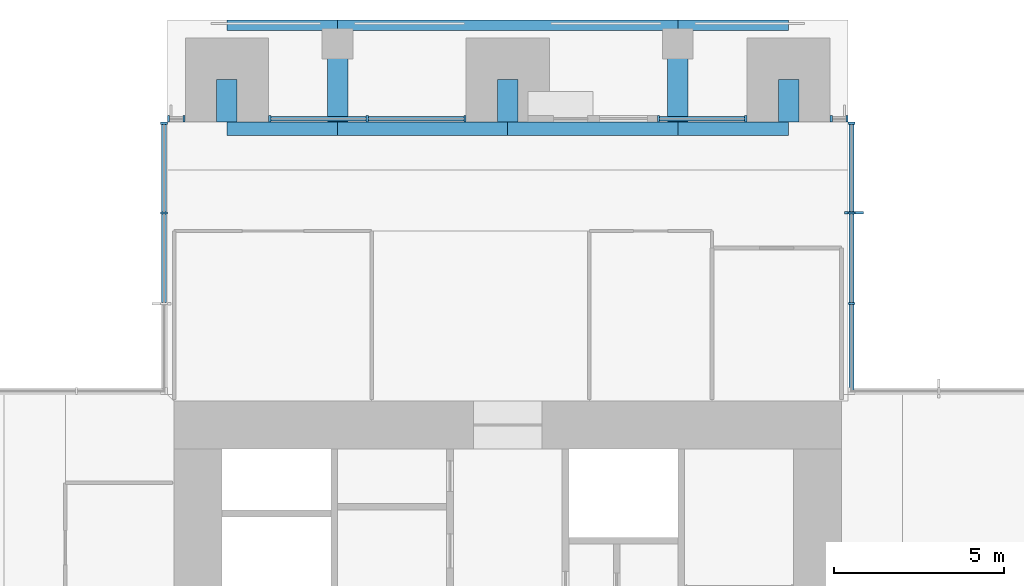
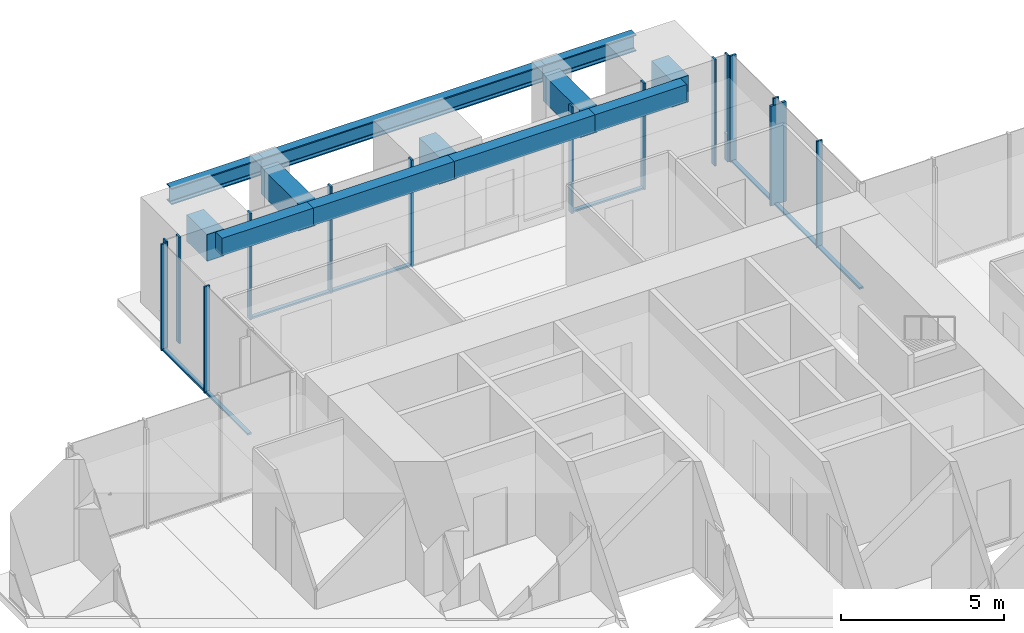
# One storey, part 5 of 17: 23 members, 12 beams, 6 elements without a shape of their own.
"""IFC4 building model written with IfcOpenShell, lengths in metres."""

from ifc_helpers import new_model, si_unit, direction, frame, origin, origin_2d, place, context, subcontext, project, spatial, rectangle, i_section, extrude, material, material_profile, profile_set, type_object, element, aggregate, save


model = new_model("IFC4")

# Units and contexts
model_context = context("Model", 3, precision=1e-05, world=origin(), true_north=direction((0.0, 1.0)))
body_context = subcontext(model_context, "Body", "Model", "MODEL_VIEW")
ifc_project = project(units=[si_unit("LENGTHUNIT", "METRE"), si_unit("AREAUNIT", "SQUARE_METRE"), si_unit("VOLUMEUNIT", "CUBIC_METRE"), si_unit("PLANEANGLEUNIT", "RADIAN"), si_unit("MASSUNIT", "GRAM", prefix="KILO")], contexts=[model_context])

# Site, building, storey
site_placement = place(None, origin())
site = spatial("IfcSite", under=ifc_project, at=site_placement, CompositionType="ELEMENT")
building_placement = place(site_placement, origin())
building = spatial("IfcBuilding", under=site, at=building_placement, Name="Svetlomir Tower", CompositionType="ELEMENT")
storey_placement = place(building_placement, frame((0.0, 0.0, 210.5)))
storey = spatial("IfcBuildingStorey", under=building, at=storey_placement, Name="L50", CompositionType="ELEMENT", Elevation=210.5)

# Curtain wall, members
ifc_material_1 = material(Name="Bronze anodised aluminium curtain wall", Category="aluminium")
curtain_wall_type = type_object("IfcCurtainWallType", Name="CURTAIN WALL CW1 TOWER OFFICE", PredefinedType="NOTDEFINED", material=ifc_material_1)
curtain_wall_1_placement = place(storey_placement, origin())
curtain_wall_1 = element("IfcCurtainWall", 1, at=curtain_wall_1_placement, inside=storey, type_object=curtain_wall_type, Name="Curtain wall CW1 L50", PredefinedType="NOTDEFINED")
ifc_material_2 = material(Name="Bronze anodised aluminium", Category="aluminium")
ifc_material_profile_1 = material_profile(ifc_material_2, rectangle(XDim=0.080078125, YDim=0.550048828125, at=origin_2d()), Name="FIN 80x550")
ifc_profile_set_1 = profile_set([ifc_material_profile_1], Name="Bronze anodised aluminium 6063-T6")
member_type_1 = type_object("IfcMemberType", Name="BRONZE FIN 80x550", PredefinedType="USERDEFINED", material=ifc_profile_set_1)
member_1_placement = place(storey_placement, frame((31.175048828125, 36.333251953125, 0.0), z_axis=(0.0, 0.0, 1.0), x_axis=(0.0, 1.0, 0.0)))
member_1 = element("IfcMember", 2, at=member_1_placement, type_object=member_type_1, Name="Bronze fin L50", ObjectType="FIN", PredefinedType="USERDEFINED", context=body_context, shape_type="SweptSolid", body=[
    extrude(rectangle(XDim=0.080078125, YDim=0.550048828125, at=origin_2d()), origin(), (0.0, 0.0, 1.0), 3.75),
])
ifc_material_3 = material(Name="Bronze anodised aluminium", Category="aluminium")
ifc_material_profile_2 = material_profile(ifc_material_3, rectangle(XDim=0.06494140625, YDim=0.199951171875, at=origin_2d()), Name="AL 65x200")
ifc_profile_set_2 = profile_set([ifc_material_profile_2], Name="Bronze anodised aluminium 6063-T6")
member_type_2 = type_object("IfcMemberType", Name="CW1 MULLION 65x200", PredefinedType="MULLION", material=ifc_profile_set_2)
member_2_placement = place(storey_placement, frame((31.10009765625, 33.666748046875, 0.0), z_axis=(0.0, 0.0, 1.0), x_axis=(0.0, 1.0, 0.0)))
member_2 = element("IfcMember", 3, at=member_2_placement, type_object=member_type_2, Name="CW1 mullion 2", PredefinedType="MULLION", context=body_context, shape_type="SweptSolid", body=[
    extrude(rectangle(XDim=0.06494140625, YDim=0.199951171875, at=origin_2d()), origin(), (0.0, 0.0, 1.0), 4.0),
])
member_3_placement = place(storey_placement, frame((31.10009765625, 36.333251953125, 0.0), z_axis=(0.0, 0.0, 1.0), x_axis=(0.0, 1.0, 0.0)))
member_3 = element("IfcMember", 4, at=member_3_placement, type_object=member_type_2, Name="CW1 mullion 3", PredefinedType="MULLION", context=body_context, shape_type="SweptSolid", body=[
    extrude(rectangle(XDim=0.06494140625, YDim=0.199951171875, at=origin_2d()), origin(), (0.0, 0.0, 1.0), 4.0),
])
member_4_placement = place(storey_placement, frame((31.10009765625, 38.967529296875, 0.0), z_axis=(0.0, 0.0, 1.0), x_axis=(0.0, 1.0, 0.0)))
member_4 = element("IfcMember", 5, at=member_4_placement, type_object=member_type_2, Name="CW1 mullion 4", PredefinedType="MULLION", context=body_context, shape_type="SweptSolid", body=[
    extrude(rectangle(XDim=0.06494140625, YDim=0.199951171875, at=origin_2d()), origin(), (0.0, 0.0, 1.0), 4.0),
])

curtain_wall_2_placement = place(storey_placement, origin())
curtain_wall_2 = element("IfcCurtainWall", 6, at=curtain_wall_2_placement, inside=storey, type_object=curtain_wall_type, Name="Curtain wall CW1 L50", PredefinedType="NOTDEFINED")
member_5_placement = place(storey_placement, frame((30.967529296875, 39.10009765625, 0.0), z_axis=(0.0, 0.0, 1.0), x_axis=(-1.0, 0.0, 0.0)))
member_5 = element("IfcMember", 7, at=member_5_placement, type_object=member_type_2, Name="CW1 mullion 1", PredefinedType="MULLION", context=body_context, shape_type="SweptSolid", body=[
    extrude(rectangle(XDim=0.06494140625, YDim=0.199951171875, at=origin_2d()), origin(), (0.0, 0.0, 1.0), 4.0),
])
member_6_placement = place(storey_placement, frame((30.507568359375, 39.10009765625, 0.0), z_axis=(0.0, 0.0, 1.0), x_axis=(-1.0, 0.0, 0.0)))
member_6 = element("IfcMember", 8, at=member_6_placement, type_object=member_type_2, Name="CW1 mullion 2", PredefinedType="MULLION", context=body_context, shape_type="SweptSolid", body=[
    extrude(rectangle(XDim=0.06494140625, YDim=0.199951171875, at=origin_2d()), origin(), (0.0, 0.0, 1.0), 4.0),
])
aggregate(curtain_wall_2, [member_5, member_6])

curtain_wall_3_placement = place(storey_placement, origin())
curtain_wall_3 = element("IfcCurtainWall", 9, at=curtain_wall_3_placement, inside=storey, type_object=curtain_wall_type, Name="Curtain wall CW1 L50", PredefinedType="NOTDEFINED")
member_7_placement = place(storey_placement, frame((27.992431640625, 39.10009765625, 0.0), z_axis=(0.0, 0.0, 1.0), x_axis=(-1.0, 0.0, 0.0)))
member_7 = element("IfcMember", 10, at=member_7_placement, type_object=member_type_2, Name="CW1 mullion 1", PredefinedType="MULLION", context=body_context, shape_type="SweptSolid", body=[
    extrude(rectangle(XDim=0.06494140625, YDim=0.199951171875, at=origin_2d()), origin(), (0.0, 0.0, 1.0), 4.0),
])
member_8_placement = place(storey_placement, frame((25.4326171875, 39.10009765625, 0.0), z_axis=(0.0, 0.0, 1.0), x_axis=(-1.0, 0.0, 0.0)))
member_8 = element("IfcMember", 11, at=member_8_placement, type_object=member_type_2, Name="CW1 mullion 2", PredefinedType="MULLION", context=body_context, shape_type="SweptSolid", body=[
    extrude(rectangle(XDim=0.06494140625, YDim=0.199951171875, at=origin_2d()), origin(), (0.0, 0.0, 1.0), 4.0),
])

curtain_wall_4_placement = place(storey_placement, origin())
curtain_wall_4 = element("IfcCurtainWall", 12, at=curtain_wall_4_placement, inside=storey, type_object=curtain_wall_type, Name="Curtain wall CW1 L50", PredefinedType="NOTDEFINED")
member_9_placement = place(storey_placement, frame((19.742431640625, 39.10009765625, 0.0), z_axis=(0.0, 0.0, 1.0), x_axis=(-1.0, 0.0, 0.0)))
member_9 = element("IfcMember", 13, at=member_9_placement, type_object=member_type_2, Name="CW1 mullion 1", PredefinedType="MULLION", context=body_context, shape_type="SweptSolid", body=[
    extrude(rectangle(XDim=0.06494140625, YDim=0.199951171875, at=origin_2d()), origin(), (0.0, 0.0, 1.0), 4.0),
])
member_10_placement = place(storey_placement, frame((16.875, 39.10009765625, 0.0), z_axis=(0.0, 0.0, 1.0), x_axis=(-1.0, 0.0, 0.0)))
member_10 = element("IfcMember", 14, at=member_10_placement, type_object=member_type_2, Name="CW1 mullion 2", PredefinedType="MULLION", context=body_context, shape_type="SweptSolid", body=[
    extrude(rectangle(XDim=0.06494140625, YDim=0.199951171875, at=origin_2d()), origin(), (0.0, 0.0, 1.0), 4.0),
])
member_11_placement = place(storey_placement, frame((14.007568359375, 39.10009765625, 0.0), z_axis=(0.0, 0.0, 1.0), x_axis=(-1.0, 0.0, 0.0)))
member_11 = element("IfcMember", 15, at=member_11_placement, type_object=member_type_2, Name="CW1 mullion 3", PredefinedType="MULLION", context=body_context, shape_type="SweptSolid", body=[
    extrude(rectangle(XDim=0.06494140625, YDim=0.199951171875, at=origin_2d()), origin(), (0.0, 0.0, 1.0), 4.0),
])

curtain_wall_5_placement = place(storey_placement, origin())
curtain_wall_5 = element("IfcCurtainWall", 16, at=curtain_wall_5_placement, inside=storey, type_object=curtain_wall_type, Name="Curtain wall CW1 L50", PredefinedType="NOTDEFINED")
member_12_placement = place(storey_placement, frame((11.492431640625, 39.10009765625, 0.0), z_axis=(0.0, 0.0, 1.0), x_axis=(-1.0, 0.0, 0.0)))
member_12 = element("IfcMember", 17, at=member_12_placement, type_object=member_type_2, Name="CW1 mullion 1", PredefinedType="MULLION", context=body_context, shape_type="SweptSolid", body=[
    extrude(rectangle(XDim=0.06494140625, YDim=0.199951171875, at=origin_2d()), origin(), (0.0, 0.0, 1.0), 4.0),
])
member_13_placement = place(storey_placement, frame((11.032470703125, 39.10009765625, 0.0), z_axis=(0.0, 0.0, 1.0), x_axis=(-1.0, 0.0, 0.0)))
member_13 = element("IfcMember", 18, at=member_13_placement, type_object=member_type_2, Name="CW1 mullion 2", PredefinedType="MULLION", context=body_context, shape_type="SweptSolid", body=[
    extrude(rectangle(XDim=0.06494140625, YDim=0.199951171875, at=origin_2d()), origin(), (0.0, 0.0, 1.0), 4.0),
])
aggregate(curtain_wall_5, [member_12, member_13])

curtain_wall_6_placement = place(storey_placement, origin())
curtain_wall_6 = element("IfcCurtainWall", 19, at=curtain_wall_6_placement, inside=storey, type_object=curtain_wall_type, Name="Curtain wall CW1 L50", PredefinedType="NOTDEFINED")
member_14_placement = place(storey_placement, frame((10.89990234375, 38.967529296875, 0.0), z_axis=(0.0, 0.0, 1.0), x_axis=(0.0, -1.0, 0.0)))
member_14 = element("IfcMember", 20, at=member_14_placement, type_object=member_type_2, Name="CW1 mullion 1", PredefinedType="MULLION", context=body_context, shape_type="SweptSolid", body=[
    extrude(rectangle(XDim=0.06494140625, YDim=0.199951171875, at=origin_2d()), origin(), (0.0, 0.0, 1.0), 4.0),
])
member_15_placement = place(storey_placement, frame((10.89990234375, 36.333251953125, 0.0), z_axis=(0.0, 0.0, 1.0), x_axis=(0.0, -1.0, 0.0)))
member_15 = element("IfcMember", 21, at=member_15_placement, type_object=member_type_2, Name="CW1 mullion 2", PredefinedType="MULLION", context=body_context, shape_type="SweptSolid", body=[
    extrude(rectangle(XDim=0.06494140625, YDim=0.199951171875, at=origin_2d()), origin(), (0.0, 0.0, 1.0), 4.0),
])

# Member
ifc_material_4 = material(Name="Bronze anodised aluminium", Category="aluminium")
ifc_material_profile_3 = material_profile(ifc_material_4, rectangle(XDim=0.139892578125, YDim=0.06494140625, at=origin_2d()), Name="AL 140x65")
ifc_profile_set_3 = profile_set([ifc_material_profile_3], Name="Bronze anodised aluminium 6063-T6")
member_type_3 = type_object("IfcMemberType", Name="CW1 TRANSOM 65x140", PredefinedType="USERDEFINED", material=ifc_profile_set_3)
member_16_placement = place(storey_placement, frame((31.10009765625, 31.06494140625, 0.032470703125), z_axis=(0.0, 1.0, 0.0), x_axis=(-1.0, 0.0, 0.0)))
member_16 = element("IfcMember", 22, at=member_16_placement, type_object=member_type_3, Name="CW1 transom 1.1", ObjectType="TRANSOM", PredefinedType="USERDEFINED", context=body_context, shape_type="SweptSolid", body=[
    extrude(rectangle(XDim=0.139892578125, YDim=0.06494140625, at=origin_2d()), origin(), (0.0, 0.0, 1.0), 2.5693359375),
])

member_17_placement = place(storey_placement, frame((31.10009765625, 33.69921875, 0.032470703125), z_axis=(0.0, 1.0, 0.0), x_axis=(-1.0, 0.0, 0.0)))
member_17 = element("IfcMember", 23, at=member_17_placement, type_object=member_type_3, Name="CW1 transom 2.1", ObjectType="TRANSOM", PredefinedType="USERDEFINED", context=body_context, shape_type="SweptSolid", body=[
    extrude(rectangle(XDim=0.139892578125, YDim=0.06494140625, at=origin_2d()), origin(), (0.0, 0.0, 1.0), 2.6015625),
])

member_18_placement = place(storey_placement, frame((31.10009765625, 36.36572265625, 0.032470703125), z_axis=(0.0, 1.0, 0.0), x_axis=(-1.0, 0.0, 0.0)))
member_18 = element("IfcMember", 24, at=member_18_placement, type_object=member_type_3, Name="CW1 transom 3.1", ObjectType="TRANSOM", PredefinedType="USERDEFINED", context=body_context, shape_type="SweptSolid", body=[
    extrude(rectangle(XDim=0.139892578125, YDim=0.06494140625, at=origin_2d()), origin(), (0.0, 0.0, 1.0), 2.5693359375),
])

aggregate(curtain_wall_1, [member_2, member_3, member_4, member_16, member_17, member_18, member_1])

member_19_placement = place(storey_placement, frame((27.9599609375, 39.10009765625, 0.032470703125), z_axis=(-1.0, 0.0, 0.0), x_axis=(0.0, -1.0, 0.0)))
member_19 = element("IfcMember", 25, at=member_19_placement, type_object=member_type_3, Name="CW1 transom 1.1", ObjectType="TRANSOM", PredefinedType="USERDEFINED", context=body_context, shape_type="SweptSolid", body=[
    extrude(rectangle(XDim=0.139892578125, YDim=0.06494140625, at=origin_2d()), origin(), (0.0, 0.0, 1.0), 2.494873046875),
])

aggregate(curtain_wall_3, [member_7, member_8, member_19])

member_20_placement = place(storey_placement, frame((19.7099609375, 39.10009765625, 0.032470703125), z_axis=(-1.0, 0.0, 0.0), x_axis=(0.0, -1.0, 0.0)))
member_20 = element("IfcMember", 26, at=member_20_placement, type_object=member_type_3, Name="CW1 transom 1.1", ObjectType="TRANSOM", PredefinedType="USERDEFINED", context=body_context, shape_type="SweptSolid", body=[
    extrude(rectangle(XDim=0.139892578125, YDim=0.06494140625, at=origin_2d()), origin(), (0.0, 0.0, 1.0), 2.802490234375),
])

member_21_placement = place(storey_placement, frame((16.842529296875, 39.10009765625, 0.032470703125), z_axis=(-1.0, 0.0, 0.0), x_axis=(0.0, -1.0, 0.0)))
member_21 = element("IfcMember", 27, at=member_21_placement, type_object=member_type_3, Name="CW1 transom 2.1", ObjectType="TRANSOM", PredefinedType="USERDEFINED", context=body_context, shape_type="SweptSolid", body=[
    extrude(rectangle(XDim=0.139892578125, YDim=0.06494140625, at=origin_2d()), origin(), (0.0, 0.0, 1.0), 2.802490234375),
])

aggregate(curtain_wall_4, [member_9, member_10, member_11, member_20, member_21])

member_22_placement = place(storey_placement, frame((10.89990234375, 38.93505859375, 0.032470703125), z_axis=(0.0, -1.0, 0.0), x_axis=(1.0, 0.0, 0.0)))
member_22 = element("IfcMember", 28, at=member_22_placement, type_object=member_type_3, Name="CW1 transom 1.1", ObjectType="TRANSOM", PredefinedType="USERDEFINED", context=body_context, shape_type="SweptSolid", body=[
    extrude(rectangle(XDim=0.139892578125, YDim=0.06494140625, at=origin_2d()), origin(), (0.0, 0.0, 1.0), 2.5693359375),
])

member_23_placement = place(storey_placement, frame((10.89990234375, 36.30078125, 0.032470703125), z_axis=(0.0, -1.0, 0.0), x_axis=(1.0, 0.0, 0.0)))
member_23 = element("IfcMember", 29, at=member_23_placement, type_object=member_type_3, Name="CW1 transom 2.1", ObjectType="TRANSOM", PredefinedType="USERDEFINED", context=body_context, shape_type="SweptSolid", body=[
    extrude(rectangle(XDim=0.139892578125, YDim=0.06494140625, at=origin_2d()), origin(), (0.0, 0.0, 1.0), 2.6015625),
])

aggregate(curtain_wall_6, [member_14, member_15, member_22, member_23])

# Beams
ifc_material_5 = material(Name="Steel S355", Category="steel")
ifc_material_profile_4 = material_profile(ifc_material_5, i_section(OverallWidth=0.304931640625, OverallDepth=0.6201171875, WebThickness=0.02099609375, FlangeThickness=0.0400390625, FilletRadius=0.027099609375, at=origin_2d()), Name="HEM 600")
ifc_profile_set_4 = profile_set([ifc_material_profile_4], Name="Steel S355")
beam_type_1 = type_object("IfcBeamType", Name="EDGE BEAM HEM 600", PredefinedType="SPANDREL", material=ifc_profile_set_4)
beam_1_placement = place(storey_placement, frame((12.75, 41.847412109375, 3.43994140625), z_axis=(1.0, 0.0, 0.0), x_axis=(0.0, 1.0, 0.0)))
element("IfcBeam", 30, at=beam_1_placement, inside=storey, type_object=beam_type_1, Name="Edge beam 11/42 to 16/42 under L51", PredefinedType="SPANDREL", context=body_context, shape_type="SweptSolid", body=[
    extrude(i_section(OverallWidth=0.304931640625, OverallDepth=0.6201171875, WebThickness=0.02099609375, FlangeThickness=0.0400390625, FilletRadius=0.027099609375, at=origin_2d()), origin(), (0.0, 0.0, 1.0), 3.25),
])
beam_2_placement = place(storey_placement, frame((16.0, 41.847412109375, 3.43994140625), z_axis=(1.0, 0.0, 0.0), x_axis=(0.0, 1.0, 0.0)))
element("IfcBeam", 31, at=beam_2_placement, inside=storey, type_object=beam_type_1, Name="Edge beam 16/42 to 26/42 under L51", PredefinedType="SPANDREL", context=body_context, shape_type="SweptSolid", body=[
    extrude(i_section(OverallWidth=0.304931640625, OverallDepth=0.6201171875, WebThickness=0.02099609375, FlangeThickness=0.0400390625, FilletRadius=0.027099609375, at=origin_2d()), origin(), (0.0, 0.0, 1.0), 10.0),
])
beam_3_placement = place(storey_placement, frame((26.0, 41.847412109375, 3.43994140625), z_axis=(1.0, 0.0, 0.0), x_axis=(0.0, 1.0, 0.0)))
element("IfcBeam", 32, at=beam_3_placement, inside=storey, type_object=beam_type_1, Name="Edge beam 26/42 to 31/42 under L51", PredefinedType="SPANDREL", context=body_context, shape_type="SweptSolid", body=[
    extrude(i_section(OverallWidth=0.304931640625, OverallDepth=0.6201171875, WebThickness=0.02099609375, FlangeThickness=0.0400390625, FilletRadius=0.027099609375, at=origin_2d()), origin(), (0.0, 0.0, 1.0), 3.25),
])
ifc_material_6 = material(Name="Concrete C60/75", Category="concrete")
ifc_material_profile_5 = material_profile(ifc_material_6, rectangle(XDim=0.39990234375, YDim=0.64990234375, at=origin_2d()), Name="RC 400x650")
ifc_profile_set_5 = profile_set([ifc_material_profile_5], Name="Concrete C60/75")
beam_type_2 = type_object("IfcBeamType", Name="FACADE EDGE BEAM RC 400x650", PredefinedType="BEAM", material=ifc_profile_set_5)
beam_4_placement = place(storey_placement, frame((12.75, 38.800048828125, 3.425048828125), z_axis=(1.0, 0.0, 0.0), x_axis=(0.0, 1.0, 0.0)))
element("IfcBeam", 33, at=beam_4_placement, inside=storey, type_object=beam_type_2, Name="Facade edge beam N 11 to 16 under L51", PredefinedType="BEAM", context=body_context, shape_type="SweptSolid", body=[
    extrude(rectangle(XDim=0.39990234375, YDim=0.64990234375, at=origin_2d()), origin(), (0.0, 0.0, 1.0), 3.25),
])
for number, where, z_axis, x_axis, name in (
    (34, (16.0, 38.800048828125, 3.425048828125), (1.0, 0.0, 0.0), (0.0, 1.0, 0.0), "Facade edge beam N 16 to 21 under L51"),
    (35, (21.0, 38.800048828125, 3.425048828125), (1.0, 0.0, 0.0), (0.0, 1.0, 0.0), "Facade edge beam N 21 to 26 under L51"),
):
    element("IfcBeam", number, at=place(storey_placement, frame(where, z_axis=z_axis, x_axis=x_axis)), inside=storey, type_object=beam_type_2, Name=name, PredefinedType="BEAM", context=body_context, shape_type="SweptSolid", body=[
        extrude(rectangle(XDim=0.39990234375, YDim=0.64990234375, at=origin_2d()), origin(), (0.0, 0.0, 1.0), 5.0),
    ])
beam_5_placement = place(storey_placement, frame((26.0, 38.800048828125, 3.425048828125), z_axis=(1.0, 0.0, 0.0), x_axis=(0.0, 1.0, 0.0)))
element("IfcBeam", 36, at=beam_5_placement, inside=storey, type_object=beam_type_2, Name="Facade edge beam N 26 to 31 under L51", PredefinedType="BEAM", context=body_context, shape_type="SweptSolid", body=[
    extrude(rectangle(XDim=0.39990234375, YDim=0.64990234375, at=origin_2d()), origin(), (0.0, 0.0, 1.0), 3.25),
])
ifc_material_7 = material(Name="Concrete C60/75", Category="concrete")
ifc_material_profile_6 = material_profile(ifc_material_7, rectangle(XDim=0.60009765625, YDim=1.0, at=origin_2d()), Name="RC 600x1000")
ifc_profile_set_6 = profile_set([ifc_material_profile_6], Name="Concrete C60/75")
beam_type_3 = type_object("IfcBeamType", Name="LOGGIA LINK BEAM RC 600x1000", PredefinedType="BEAM", material=ifc_profile_set_6)
beam_6_placement = place(storey_placement, frame((12.75, 40.25, 3.25), z_axis=(0.0, -1.0, 0.0), x_axis=(1.0, 0.0, 0.0)))
element("IfcBeam", 37, at=beam_6_placement, inside=storey, type_object=beam_type_3, Name="Loggia link beam N 11 under L51", PredefinedType="BEAM", context=body_context, shape_type="SweptSolid", body=[
    extrude(rectangle(XDim=0.60009765625, YDim=1.0, at=origin_2d()), origin(), (0.0, 0.0, 1.0), 1.25),
])
beam_7_placement = place(storey_placement, frame((16.0, 41.300048828125, 3.25), z_axis=(0.0, -1.0, 0.0), x_axis=(1.0, 0.0, 0.0)))
element("IfcBeam", 38, at=beam_7_placement, inside=storey, type_object=beam_type_3, Name="Loggia link beam N 16 under L51", PredefinedType="BEAM", context=body_context, shape_type="SweptSolid", body=[
    extrude(rectangle(XDim=0.60009765625, YDim=1.0, at=origin_2d()), origin(), (0.0, 0.0, 1.0), 2.300048828125),
])
beam_8_placement = place(storey_placement, frame((21.0, 40.25, 3.25), z_axis=(0.0, -1.0, 0.0), x_axis=(1.0, 0.0, 0.0)))
element("IfcBeam", 39, at=beam_8_placement, inside=storey, type_object=beam_type_3, Name="Loggia link beam N 21 under L51", PredefinedType="BEAM", context=body_context, shape_type="SweptSolid", body=[
    extrude(rectangle(XDim=0.60009765625, YDim=1.0, at=origin_2d()), origin(), (0.0, 0.0, 1.0), 1.25),
])
beam_9_placement = place(storey_placement, frame((26.0, 41.300048828125, 3.25), z_axis=(0.0, -1.0, 0.0), x_axis=(1.0, 0.0, 0.0)))
element("IfcBeam", 40, at=beam_9_placement, inside=storey, type_object=beam_type_3, Name="Loggia link beam N 26 under L51", PredefinedType="BEAM", context=body_context, shape_type="SweptSolid", body=[
    extrude(rectangle(XDim=0.60009765625, YDim=1.0, at=origin_2d()), origin(), (0.0, 0.0, 1.0), 2.300048828125),
])
beam_10_placement = place(storey_placement, frame((29.25, 40.25, 3.25), z_axis=(0.0, -1.0, 0.0), x_axis=(1.0, 0.0, 0.0)))
element("IfcBeam", 41, at=beam_10_placement, inside=storey, type_object=beam_type_3, Name="Loggia link beam N 31 under L51", PredefinedType="BEAM", context=body_context, shape_type="SweptSolid", body=[
    extrude(rectangle(XDim=0.60009765625, YDim=1.0, at=origin_2d()), origin(), (0.0, 0.0, 1.0), 1.25),
])

save(model, "model.ifc")
